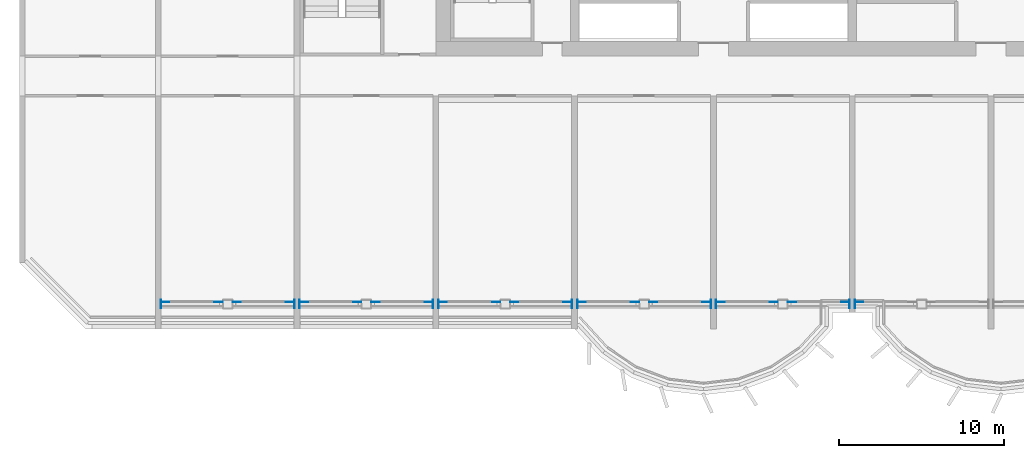
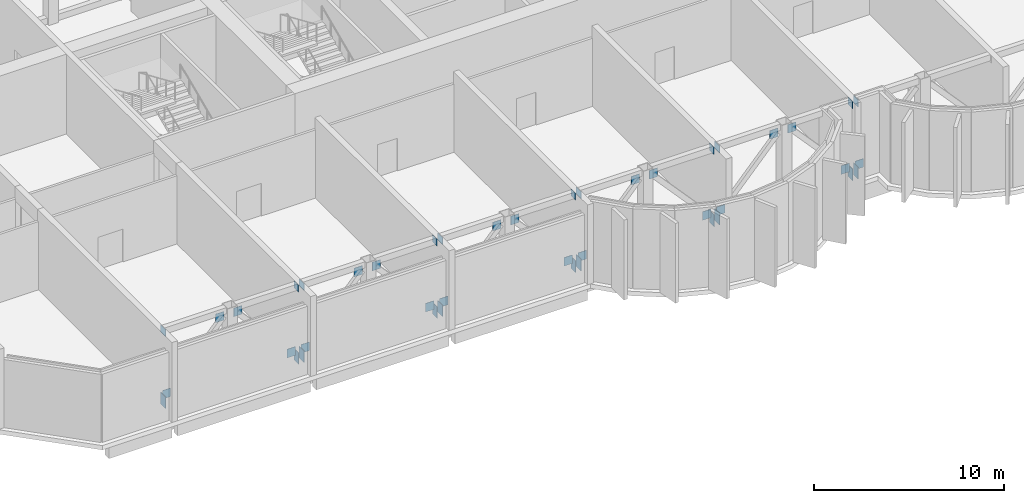
# One storey, part 10 of 17: 43 discrete accessories.
"""IFC4 building model written with IfcOpenShell, lengths in metres."""

from ifc_helpers import new_model, si_unit, direction, frame, origin, origin_2d, place, context, subcontext, project, spatial, rectangle, extrude, source, transform, mapped, material, layer, layer_set, type_object, element, save


model = new_model("IFC4")

# Units and contexts
model_context = context("Model", 3, precision=1e-05, world=origin(), true_north=direction((0.0, 1.0)))
body_context = subcontext(model_context, "Body", "Model", "MODEL_VIEW")
ifc_project = project(units=[si_unit("LENGTHUNIT", "METRE"), si_unit("AREAUNIT", "SQUARE_METRE"), si_unit("VOLUMEUNIT", "CUBIC_METRE"), si_unit("PLANEANGLEUNIT", "RADIAN"), si_unit("MASSUNIT", "GRAM", prefix="KILO")], contexts=[model_context])

# Site, building, storey
site_placement = place(None, origin())
site = spatial("IfcSite", under=ifc_project, at=site_placement, CompositionType="ELEMENT")
building_placement = place(site_placement, origin())
building = spatial("IfcBuilding", under=site, at=building_placement, Name="Vanashikhar Sky Hotel", CompositionType="ELEMENT")
storey_placement = place(building_placement, frame((0.0, 0.0, 140.800048828125)))
storey = spatial("IfcBuildingStorey", under=building, at=storey_placement, Name="L34", CompositionType="ELEMENT", Elevation=140.800048828125)

# Discrete accessories
ifc_material = material(Name="Steel S355", Category="steel")
ifc_layer_1 = layer(ifc_material, 0.030029296875)
ifc_layer_set_1 = layer_set([ifc_layer_1], Name="Cast-in anchor plate 500x750x30")
discrete_accessory_type_1 = type_object("IfcDiscreteAccessoryType", Name="Cast-in anchor plate 500x750x30", PredefinedType="ANCHORPLATE", material=ifc_layer_set_1)
shared_shape_1 = source(origin(), body_context, "Body", "SweptSolid", [
    extrude(rectangle(XDim=0.030029296875, YDim=0.5, at=origin_2d()), origin(), (0.0, 0.0, 1.0), 0.75),
])
for number, where, z_axis, x_axis, name in (
    (1, (8.56005859375, 7.0, 0.02490234375), (0.0, 0.0, 1.0), (1.0, 0.0, 0.0), "EP-L34-F01AB"),
    (2, (16.639892578125, 7.0, 0.02490234375), (0.0, 0.0, 1.0), (1.0, 0.0, 0.0), "EP-L34-F01BB"),
    (3, (16.9599609375, 7.0, 0.02490234375), (0.0, 0.0, 1.0), (1.0, 0.0, 0.0), "EP-L34-F02AB"),
    (4, (25.0400390625, 7.0, 0.02490234375), (0.0, 0.0, 1.0), (1.0, 0.0, 0.0), "EP-L34-F02BB"),
    (5, (25.360107421875, 7.0, 0.02490234375), (0.0, 0.0, 1.0), (1.0, 0.0, 0.0), "EP-L34-F03AB"),
    (6, (33.43994140625, 7.0, 0.02490234375), (0.0, 0.0, 1.0), (1.0, 0.0, 0.0), "EP-L34-F03BB"),
    (7, (33.760009765625, 7.0, 0.02490234375), (0.0, 0.0, 1.0), (1.0, 0.0, 0.0), "EP-L34-F04AB"),
    (8, (41.840087890625, 7.0, 0.02490234375), (0.0, 0.0, 1.0), (1.0, 0.0, 0.0), "EP-L34-F04BB"),
    (9, (42.159912109375, 7.0, 0.02490234375), (0.0, 0.0, 1.0), (1.0, 0.0, 0.0), "EP-L34-F05AB"),
    (10, (50.239990234375, 7.0, 0.02490234375), (0.0, 0.0, 1.0), (1.0, 0.0, 0.0), "EP-L34-F05BB"),
    (11, (50.56005859375, 7.0, 0.02490234375), (0.0, 0.0, 1.0), (1.0, 0.0, 0.0), "EP-L34-F06AB"),
):
    element("IfcDiscreteAccessory", number, at=place(storey_placement, frame(where, z_axis=z_axis, x_axis=x_axis)), inside=storey, type_object=discrete_accessory_type_1, Name=name, PredefinedType="ANCHORPLATE", context=body_context, shape_type="MappedRepresentation", body=[
        mapped(shared_shape_1, transform((0.0, 0.0, 0.0), scale=1.0)),
    ])
ifc_layer_2 = layer(ifc_material, 0.030029296875)
ifc_layer_set_2 = layer_set([ifc_layer_2], Name="Cast-in anchor plate 500x450x30")
discrete_accessory_type_2 = type_object("IfcDiscreteAccessoryType", Name="Cast-in anchor plate 500x450x30", PredefinedType="ANCHORPLATE", material=ifc_layer_set_2)
shared_shape_2 = source(origin(), body_context, "Body", "SweptSolid", [
    extrude(rectangle(XDim=0.030029296875, YDim=0.5, at=origin_2d()), origin(), (0.0, 0.0, 1.0), 0.449951171875),
])
for number, where, z_axis, x_axis, name in (
    (12, (8.56005859375, 7.0, 4.64501953125), (0.0, 0.0, 1.0), (1.0, 0.0, 0.0), "EP-L34-F01AT"),
    (13, (16.639892578125, 7.0, 4.64501953125), (0.0, 0.0, 1.0), (1.0, 0.0, 0.0), "EP-L34-F01BT"),
    (14, (16.9599609375, 7.0, 4.64501953125), (0.0, 0.0, 1.0), (1.0, 0.0, 0.0), "EP-L34-F02AT"),
    (15, (25.0400390625, 7.0, 4.64501953125), (0.0, 0.0, 1.0), (1.0, 0.0, 0.0), "EP-L34-F02BT"),
    (16, (25.360107421875, 7.0, 4.64501953125), (0.0, 0.0, 1.0), (1.0, 0.0, 0.0), "EP-L34-F03AT"),
    (17, (33.43994140625, 7.0, 4.64501953125), (0.0, 0.0, 1.0), (1.0, 0.0, 0.0), "EP-L34-F03BT"),
    (18, (33.760009765625, 7.0, 4.64501953125), (0.0, 0.0, 1.0), (1.0, 0.0, 0.0), "EP-L34-F04AT"),
    (19, (41.840087890625, 7.0, 4.64501953125), (0.0, 0.0, 1.0), (1.0, 0.0, 0.0), "EP-L34-F04BT"),
    (20, (42.159912109375, 7.0, 4.64501953125), (0.0, 0.0, 1.0), (1.0, 0.0, 0.0), "EP-L34-F05AT"),
    (21, (50.239990234375, 7.0, 4.64501953125), (0.0, 0.0, 1.0), (1.0, 0.0, 0.0), "EP-L34-F05BT"),
    (22, (50.56005859375, 7.0, 4.64501953125), (0.0, 0.0, 1.0), (1.0, 0.0, 0.0), "EP-L34-F06AT"),
):
    element("IfcDiscreteAccessory", number, at=place(storey_placement, frame(where, z_axis=z_axis, x_axis=x_axis)), inside=storey, type_object=discrete_accessory_type_2, Name=name, PredefinedType="ANCHORPLATE", context=body_context, shape_type="MappedRepresentation", body=[
        mapped(shared_shape_2, transform((0.0, 0.0, 0.0), scale=1.0)),
    ])
ifc_layer_3 = layer(ifc_material, 0.02490234375)
ifc_layer_set_3 = layer_set([ifc_layer_3], Name="Truss gusset plate 500x550x25")
discrete_accessory_type_3 = type_object("IfcDiscreteAccessoryType", Name="Truss gusset plate 500x550x25", PredefinedType="BRACKET", material=ifc_layer_set_3)
shared_shape_3 = source(origin(), body_context, "Body", "SweptSolid", [
    extrude(rectangle(XDim=0.5, YDim=0.02490234375, at=origin_2d()), origin(), (0.0, 0.0, 1.0), 0.550048828125),
])
for number, where, z_axis, x_axis, name in (
    (23, (8.824951171875, 7.112548828125, 0.39990234375), (0.0, 0.0, 1.0), (1.0, 0.0, 0.0), "GS-L34-F01LA"),
    (24, (12.050048828125, 7.112548828125, 4.169921875), (0.0, 0.0, 1.0), (1.0, 0.0, 0.0), "GS-L34-F01LB"),
    (25, (16.375, 7.112548828125, 0.39990234375), (0.0, 0.0, 1.0), (1.0, 0.0, 0.0), "GS-L34-F01RA"),
    (26, (13.14990234375, 7.112548828125, 4.169921875), (0.0, 0.0, 1.0), (1.0, 0.0, 0.0), "GS-L34-F01RB"),
    (27, (17.22509765625, 7.112548828125, 0.39990234375), (0.0, 0.0, 1.0), (1.0, 0.0, 0.0), "GS-L34-F02LA"),
    (28, (20.449951171875, 7.112548828125, 4.169921875), (0.0, 0.0, 1.0), (1.0, 0.0, 0.0), "GS-L34-F02LB"),
    (29, (24.77490234375, 7.112548828125, 0.39990234375), (0.0, 0.0, 1.0), (1.0, 0.0, 0.0), "GS-L34-F02RA"),
    (30, (21.550048828125, 7.112548828125, 4.169921875), (0.0, 0.0, 1.0), (1.0, 0.0, 0.0), "GS-L34-F02RB"),
    (31, (25.625, 7.112548828125, 0.39990234375), (0.0, 0.0, 1.0), (1.0, 0.0, 0.0), "GS-L34-F03LA"),
    (32, (28.85009765625, 7.112548828125, 4.169921875), (0.0, 0.0, 1.0), (1.0, 0.0, 0.0), "GS-L34-F03LB"),
    (33, (33.175048828125, 7.112548828125, 0.39990234375), (0.0, 0.0, 1.0), (1.0, 0.0, 0.0), "GS-L34-F03RA"),
    (34, (29.949951171875, 7.112548828125, 4.169921875), (0.0, 0.0, 1.0), (1.0, 0.0, 0.0), "GS-L34-F03RB"),
    (35, (34.02490234375, 7.112548828125, 0.39990234375), (0.0, 0.0, 1.0), (1.0, 0.0, 0.0), "GS-L34-F04LA"),
    (36, (37.25, 7.112548828125, 4.169921875), (0.0, 0.0, 1.0), (1.0, 0.0, 0.0), "GS-L34-F04LB"),
    (37, (41.574951171875, 7.112548828125, 0.39990234375), (0.0, 0.0, 1.0), (1.0, 0.0, 0.0), "GS-L34-F04RA"),
    (38, (38.35009765625, 7.112548828125, 4.169921875), (0.0, 0.0, 1.0), (1.0, 0.0, 0.0), "GS-L34-F04RB"),
    (39, (42.425048828125, 7.112548828125, 0.39990234375), (0.0, 0.0, 1.0), (1.0, 0.0, 0.0), "GS-L34-F05LA"),
    (40, (45.64990234375, 7.112548828125, 4.169921875), (0.0, 0.0, 1.0), (1.0, 0.0, 0.0), "GS-L34-F05LB"),
    (41, (49.97509765625, 7.112548828125, 0.39990234375), (0.0, 0.0, 1.0), (1.0, 0.0, 0.0), "GS-L34-F05RA"),
    (42, (46.75, 7.112548828125, 4.169921875), (0.0, 0.0, 1.0), (1.0, 0.0, 0.0), "GS-L34-F05RB"),
    (43, (50.824951171875, 7.112548828125, 0.39990234375), (0.0, 0.0, 1.0), (1.0, 0.0, 0.0), "GS-L34-F06LA"),
):
    element("IfcDiscreteAccessory", number, at=place(storey_placement, frame(where, z_axis=z_axis, x_axis=x_axis)), inside=storey, type_object=discrete_accessory_type_3, Name=name, PredefinedType="BRACKET", context=body_context, shape_type="MappedRepresentation", body=[
        mapped(shared_shape_3, transform((0.0, 0.0, 0.0), scale=1.0)),
    ])

save(model, "model.ifc")
